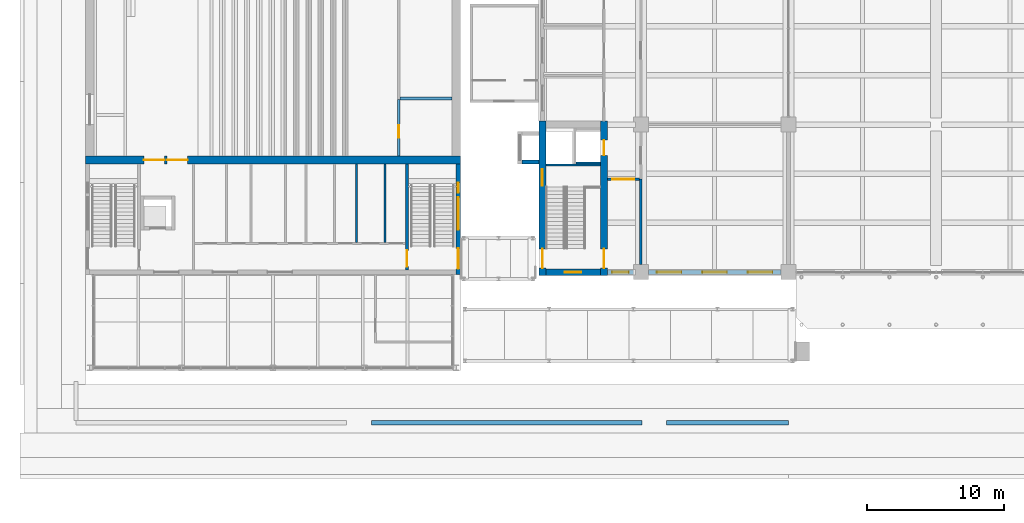
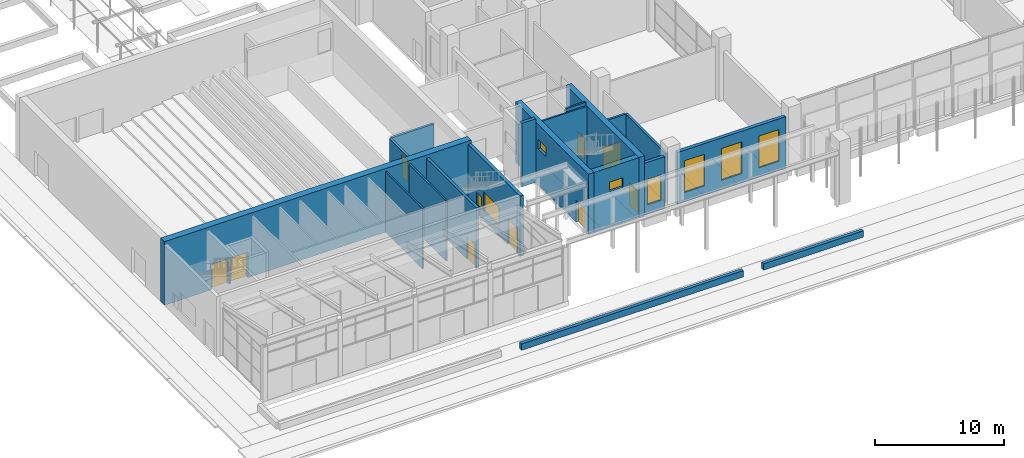
# One storey, part 46 of 71: 19 walls, 9 doors, 8 windows, 17 openings.
"""IFC4 building model written with IfcOpenShell, lengths in metres."""

from ifc_helpers import new_model, si_unit, direction, frame, frame_2d, origin, place, context, subcontext, project, spatial, rectangle, extrude, material, layer, layer_set, type_object, element, fill, save


model = new_model("IFC4")

# Units and contexts
model_context = context("Model", 3, precision=1e-05, world=origin(), true_north=direction((0.0, 1.0)))
body_context = subcontext(model_context, "Body", "Model", "MODEL_VIEW")
ifc_project = project(units=[si_unit("LENGTHUNIT", "METRE"), si_unit("AREAUNIT", "SQUARE_METRE"), si_unit("VOLUMEUNIT", "CUBIC_METRE"), si_unit("PLANEANGLEUNIT", "RADIAN"), si_unit("MASSUNIT", "GRAM", prefix="KILO")], contexts=[model_context])

# Site, building, storey
site_placement = place(None, origin())
site = spatial("IfcSite", under=ifc_project, at=site_placement, CompositionType="ELEMENT")
building_placement = place(site_placement, origin())
building = spatial("IfcBuilding", under=site, at=building_placement, Name="Basin Gate Institute", CompositionType="ELEMENT")
storey_placement = place(building_placement, origin())
storey = spatial("IfcBuildingStorey", under=building, at=storey_placement, Name="L00", CompositionType="ELEMENT", Elevation=0.0)

# Wall, opening, door
ifc_material_1 = material(Name="Concrete 40 MPa", Category="concrete")
ifc_layer_1 = layer(ifc_material_1, 0.25)
ifc_layer_set_1 = layer_set([ifc_layer_1], Name="Concrete 40 MPa")
wall_type_1 = type_object("IfcWallType", Name="Block enclosure wall W73 REI 120", PredefinedType="SOLIDWALL", material=ifc_layer_set_1)
wall_1_placement = place(storey_placement, frame((51.300048828125, 35.25, 0.0), z_axis=(0.0, 0.0, 1.0), x_axis=(0.0, 1.0, 0.0)))
wall_1 = element("IfcWall", 1, at=wall_1_placement, inside=storey, type_object=wall_type_1, material=ifc_layer_set_1, Name="Block enclosure wall PE L00", PredefinedType="SOLIDWALL", context=body_context, shape_type="SweptSolid", body=[
    extrude(rectangle(XDim=7.75, YDim=0.25, at=frame_2d((3.875, 0.0))), origin(), (0.0, 0.0, 1.0), 5.699951171875),
])
opening_1_placement = place(wall_1_placement, frame((0.25, 0.0, 0.0)))
opening_1 = element("IfcOpeningElement", 2, at=opening_1_placement, cuts=wall_1, Name="Opening D904", PredefinedType="OPENING", context=body_context, shape_type="SweptSolid", body=[
    extrude(rectangle(XDim=1.199951171875, YDim=2.10009765625, at=frame_2d((0.60009765625, 1.050048828125))), frame((0.0, 0.135009765625, 0.0), z_axis=(0.0, -1.0, 0.0), x_axis=(1.0, 0.0, 0.0)), (0.0, 0.0, 1.0), 0.27001953125),
])
ifc_material_2 = material(Name="Steel fire door leaf", Category="steel")
door_type_1 = type_object("IfcDoorType", Name="FD60 door 1200 single swing", OperationType="NOTDEFINED", PredefinedType="DOOR", material=ifc_material_2)
door_1_placement = place(opening_1_placement, frame((1.199951171875, 0.0, 0.0), z_axis=(0.0, 0.0, 1.0), x_axis=(-1.0, 0.0, 0.0)))
door_1 = element("IfcDoor", 3, at=door_1_placement, inside=storey, type_object=door_type_1, material=ifc_material_2, Name="Stair door ST-T3", OperationType="SINGLE_SWING_RIGHT", OverallHeight=2.10009765625, OverallWidth=1.199951171875, PredefinedType="DOOR", context=body_context, shape_type="SweptSolid", body=[
    extrude(rectangle(XDim=1.199951171875, YDim=2.10009765625, at=frame_2d((0.60009765625, 1.050048828125))), frame((0.0, 0.02490234375, 0.0), z_axis=(0.0, -1.0, 0.0), x_axis=(1.0, 0.0, 0.0)), (0.0, 0.0, 1.0), 0.050048828125),
])
fill(opening_1, door_1)

# Wall, openings, windows, door
ifc_material_3 = material(Name="Concrete 40 MPa", Category="concrete")
ifc_layer_2 = layer(ifc_material_3, 0.300048828125)
ifc_layer_set_2 = layer_set([ifc_layer_2], Name="Concrete 40 MPa")
wall_type_2 = type_object("IfcWallType", Name="Block external wall W71 REI 180", PredefinedType="SOLIDWALL", material=ifc_layer_set_2)
wall_2_placement = place(storey_placement, frame((55.050048828125, 34.949951171875, 0.0), z_axis=(0.0, 0.0, 1.0), x_axis=(0.0, 1.0, 0.0)))
wall_2 = element("IfcWall", 4, at=wall_2_placement, inside=storey, type_object=wall_type_2, material=ifc_layer_set_2, Name="Block external wall R180 SE1 L00", PredefinedType="SOLIDWALL", context=body_context, shape_type="SweptSolid", body=[
    extrude(rectangle(XDim=8.050048828125, YDim=0.300048828125, at=frame_2d((4.02490234375, 0.0))), origin(), (0.0, 0.0, 1.0), 5.699951171875),
])
opening_2_placement = place(wall_2_placement, frame((0.39990234375, 0.0, 0.0)))
opening_2 = element("IfcOpeningElement", 5, at=opening_2_placement, cuts=wall_2, Name="Opening D902", PredefinedType="OPENING", context=body_context, shape_type="SweptSolid", body=[
    extrude(rectangle(XDim=1.5, YDim=2.39990234375, at=frame_2d((0.75, 1.199951171875))), frame((0.0, 0.16015625, 0.0), z_axis=(0.0, -1.0, 0.0), x_axis=(1.0, 0.0, 0.0)), (0.0, 0.0, 1.0), 0.320068359375),
])
opening_3_placement = place(wall_2_placement, frame((3.25, 0.0, 0.89990234375)))
opening_3 = element("IfcOpeningElement", 6, at=opening_3_placement, cuts=wall_2, Name="Opening WN903", PredefinedType="OPENING", context=body_context, shape_type="SweptSolid", body=[
    extrude(rectangle(XDim=2.39990234375, YDim=1.800048828125, at=frame_2d((1.199951171875, 0.89990234375))), frame((0.0, 0.16015625, 0.0), z_axis=(0.0, -1.0, 0.0), x_axis=(1.0, 0.0, 0.0)), (0.0, 0.0, 1.0), 0.320068359375),
])
opening_4_placement = place(wall_2_placement, frame((5.949951171875, 0.0, 0.800048828125)))
opening_4 = element("IfcOpeningElement", 7, at=opening_4_placement, cuts=wall_2, Name="Opening WN904", PredefinedType="OPENING", context=body_context, shape_type="SweptSolid", body=[
    extrude(rectangle(XDim=0.75, YDim=1.199951171875, at=frame_2d((0.375, 0.60009765625))), frame((0.0, 0.16015625, 0.0), z_axis=(0.0, -1.0, 0.0), x_axis=(1.0, 0.0, 0.0)), (0.0, 0.0, 1.0), 0.320068359375),
])
ifc_material_4 = material(Name="Aluminium frame with toughened glass", Category="aluminium")
window_type_1 = type_object("IfcWindowType", Name="Block emergency entry panel 750x1200", PartitioningType="SINGLE_PANEL", PredefinedType="WINDOW", material=ifc_material_4)
window_1_placement = place(opening_4_placement, origin())
window_1 = element("IfcWindow", 8, at=window_1_placement, inside=storey, type_object=window_type_1, material=ifc_material_4, Name="Theatre emergency entry panel", OverallHeight=1.199951171875, OverallWidth=0.75, PartitioningType="SINGLE_PANEL", PredefinedType="WINDOW", context=body_context, shape_type="SweptSolid", body=[
    extrude(rectangle(XDim=0.75, YDim=1.199951171875, at=frame_2d((0.375, 0.60009765625))), frame((0.0, 0.030029296875, 0.0), z_axis=(0.0, -1.0, 0.0), x_axis=(1.0, 0.0, 0.0)), (0.0, 0.0, 1.0), 0.06005859375),
])
fill(opening_4, window_1)
ifc_material_5 = material(Name="Aluminium frame with double glazing", Category="aluminium")
window_type_2 = type_object("IfcWindowType", Name="Block window 2400x1800", PartitioningType="DOUBLE_PANEL_VERTICAL", PredefinedType="WINDOW", material=ifc_material_5)
window_2_placement = place(opening_3_placement, origin())
window_2 = element("IfcWindow", 9, at=window_2_placement, inside=storey, type_object=window_type_2, material=ifc_material_5, Name="Theatre window", OverallHeight=1.800048828125, OverallWidth=2.39990234375, PartitioningType="SINGLE_PANEL", PredefinedType="WINDOW", context=body_context, shape_type="SweptSolid", body=[
    extrude(rectangle(XDim=2.39990234375, YDim=1.800048828125, at=frame_2d((1.199951171875, 0.89990234375))), frame((0.0, 0.030029296875, 0.0), z_axis=(0.0, -1.0, 0.0), x_axis=(1.0, 0.0, 0.0)), (0.0, 0.0, 1.0), 0.06005859375),
])
fill(opening_3, window_2)
ifc_material_6 = material(Name="Steel fire door leaf with fire-rated glazed vision panel", Category="steel")
door_type_2 = type_object("IfcDoorType", Name="FD60 Exit door 1500 single swing", OperationType="NOTDEFINED", PredefinedType="DOOR", material=ifc_material_6)
door_2_placement = place(opening_2_placement, frame((1.5, 0.0, 0.0), z_axis=(0.0, 0.0, 1.0), x_axis=(-1.0, 0.0, 0.0)))
door_2 = element("IfcDoor", 10, at=door_2_placement, inside=storey, type_object=door_type_2, material=ifc_material_6, Name="Final exit Theatre stair ST-T3", OperationType="SINGLE_SWING_RIGHT", OverallHeight=2.39990234375, OverallWidth=1.5, PredefinedType="DOOR", context=body_context, shape_type="SweptSolid", body=[
    extrude(rectangle(XDim=1.5, YDim=2.39990234375, at=frame_2d((0.75, 1.199951171875))), frame((0.0, 0.02490234375, 0.0), z_axis=(0.0, -1.0, 0.0), x_axis=(1.0, 0.0, 0.0)), (0.0, 0.0, 1.0), 0.050048828125),
])
fill(opening_2, door_2)

# Walls
ifc_material_7 = material(Name="Gypsum board partition on steel studs", Category="steel")
ifc_layer_3 = layer(ifc_material_7, 0.14990234375)
ifc_layer_set_3 = layer_set([ifc_layer_3], Name="Gypsum board partition on steel studs")
wall_type_3 = type_object("IfcWallType", Name="Block partition PW71 unrated", PredefinedType="SOLIDWALL", material=ifc_layer_set_3)
for number, where, z_axis, x_axis, name in (
    (11, (47.60009765625, 37.27490234375, 0.0), (0.0, 0.0, 1.0), (0.0, 1.0, 0.0), "Block partition RW5 L00"),
    (12, (49.699951171875, 37.27490234375, 0.0), (0.0, 0.0, 1.0), (0.0, 1.0, 0.0), "Block partition RW6 L00"),
):
    element("IfcWall", number, at=place(storey_placement, frame(where, z_axis=z_axis, x_axis=x_axis)), inside=storey, type_object=wall_type_3, material=ifc_layer_set_3, Name=name, PredefinedType="SOLIDWALL", context=body_context, shape_type="SweptSolid", body=[
        extrude(rectangle(XDim=5.72509765625, YDim=0.14990234375, at=frame_2d((2.862548828125, 0.0))), origin(), (0.0, 0.0, 1.0), 5.699951171875),
    ])
ifc_material_8 = material(Name="Concrete 35 MPa", Category="concrete")
ifc_layer_4 = layer(ifc_material_8, 0.300048828125)
ifc_layer_set_4 = layer_set([ifc_layer_4], Name="Concrete 35 MPa")
wall_type_4 = type_object("IfcWallType", Name="Edge planter wall PL2", PredefinedType="SOLIDWALL", material=ifc_layer_set_4)
wall_3_placement = place(storey_placement, frame((48.68994140625, 24.090087890625, 0.0), z_axis=(0.0, 0.0, 1.0), x_axis=(1.0, 0.0, 0.0)))
element("IfcWall", 13, at=wall_3_placement, inside=storey, type_object=wall_type_4, material=ifc_layer_set_4, Name="Edge planter wall S2", PredefinedType="SOLIDWALL", context=body_context, shape_type="SweptSolid", body=[
    extrude(rectangle(XDim=19.800048828125, YDim=0.300048828125, at=frame_2d((9.89990234375, 0.0))), origin(), (0.0, 0.0, 1.0), 0.60009765625),
])
wall_4_placement = place(storey_placement, frame((70.2900390625, 24.090087890625, 0.0), z_axis=(0.0, 0.0, 1.0), x_axis=(1.0, 0.0, 0.0)))
element("IfcWall", 14, at=wall_4_placement, inside=storey, type_object=wall_type_4, material=ifc_layer_set_4, Name="Edge planter wall S3", PredefinedType="SOLIDWALL", context=body_context, shape_type="SweptSolid", body=[
    extrude(rectangle(XDim=8.909912109375, YDim=0.300048828125, at=frame_2d((4.455078125, 0.0))), origin(), (0.0, 0.0, 1.0), 0.60009765625),
])

# Wall, opening, door
ifc_material_9 = material(Name="Fire-rated masonry", Category="masonry")
ifc_layer_5 = layer(ifc_material_9, 0.199951171875)
ifc_layer_set_5 = layer_set([ifc_layer_5], Name="Enclosure wall PW2 200 EI 60")
wall_type_5 = type_object("IfcWallType", Name="Enclosure wall PW2 200 EI 60", PredefinedType="PARTITIONING", material=ifc_layer_set_5)
wall_5_placement = place(storey_placement, frame((65.949951171875, 41.89990234375, 0.0), z_axis=(0.0, 0.0, 1.0), x_axis=(1.0, 0.0, 0.0)))
wall_5 = element("IfcWall", 15, at=wall_5_placement, inside=storey, type_object=wall_type_5, material=ifc_layer_set_5, Name="Smoke lobby enclosure wall PW2 L00", PredefinedType="PARTITIONING", context=body_context, shape_type="SweptSolid", body=[
    extrude(rectangle(XDim=2.35009765625, YDim=0.199951171875, at=frame_2d((1.175048828125, 0.0))), origin(), (0.0, 0.0, 1.0), 4.60009765625),
])
opening_5_placement = place(wall_5_placement, frame((0.375, 0.0, 0.0)))
opening_5 = element("IfcOpeningElement", 16, at=opening_5_placement, cuts=wall_5, Name="Opening DR039", PredefinedType="OPENING", context=body_context, shape_type="SweptSolid", body=[
    extrude(rectangle(XDim=1.60009765625, YDim=2.10009765625, at=frame_2d((0.800048828125, 1.050048828125))), frame((0.0, 0.10986328125, 0.0), z_axis=(0.0, -1.0, 0.0), x_axis=(1.0, 0.0, 0.0)), (0.0, 0.0, 1.0), 0.219970703125),
])
ifc_material_10 = material(Name="Steel fire door", Category="steel")
door_type_3 = type_object("IfcDoorType", Name="FD60 Smoke lobby door pair D8", OperationType="DOUBLE_DOOR_SINGLE_SWING", PredefinedType="DOOR", material=ifc_material_10)
door_3_placement = place(opening_5_placement, frame((1.60009765625, 0.0, 0.0), z_axis=(0.0, 0.0, 1.0), x_axis=(-1.0, 0.0, 0.0)))
door_3 = element("IfcDoor", 17, at=door_3_placement, inside=storey, type_object=door_type_3, material=ifc_material_10, Name="Smoke lobby door SS1 L00", OperationType="DOUBLE_DOOR_SINGLE_SWING", OverallHeight=2.10009765625, OverallWidth=1.60009765625, PredefinedType="DOOR", context=body_context, shape_type="SweptSolid", body=[
    extrude(rectangle(XDim=1.60009765625, YDim=2.10009765625, at=frame_2d((0.800048828125, 1.050048828125))), frame((0.0, 0.02490234375, 0.0), z_axis=(0.0, -1.0, 0.0), x_axis=(1.0, 0.0, 0.0)), (0.0, 0.0, 1.0), 0.050048828125),
])
fill(opening_5, door_3)

# Wall
wall_6_placement = place(storey_placement, frame((68.39990234375, 35.64990234375, 0.0), z_axis=(0.0, 0.0, 1.0), x_axis=(0.0, 1.0, 0.0)))
element("IfcWall", 18, at=wall_6_placement, inside=storey, type_object=wall_type_5, material=ifc_layer_set_5, Name="Smoke lobby enclosure wall PW2 L00", PredefinedType="PARTITIONING", context=body_context, shape_type="SweptSolid", body=[
    extrude(rectangle(XDim=6.25, YDim=0.199951171875, at=frame_2d((3.125, 0.0))), origin(), (0.0, 0.0, 1.0), 4.60009765625),
])

# Wall, opening, window
ifc_material_11 = material(Name="Aluminium-faced insulated panel wall", Category="aluminium")
ifc_layer_6 = layer(ifc_material_11, 0.300048828125)
ifc_layer_set_6 = layer_set([ifc_layer_6], Name="External wall EW1 EI 120")
wall_type_6 = type_object("IfcWallType", Name="External wall EW1 EI 120", PredefinedType="STANDARD", material=ifc_layer_set_6)
wall_7_placement = place(storey_placement, frame((65.949951171875, 35.10009765625, 0.0), z_axis=(0.0, 0.0, 1.0), x_axis=(1.0, 0.0, 0.0)))
wall_7 = element("IfcWall", 19, at=wall_7_placement, inside=storey, type_object=wall_type_6, material=ifc_layer_set_6, Name="External end wall W wing south L00 1", PredefinedType="STANDARD", context=body_context, shape_type="SweptSolid", body=[
    extrude(rectangle(XDim=1.900146484375, YDim=0.300048828125, at=frame_2d((0.9501953125, 0.0))), origin(), (0.0, 0.0, 1.0), 4.89990234375),
])
opening_6_placement = place(wall_7_placement, frame((0.35009765625, 0.0, 0.89990234375)))
opening_6 = element("IfcOpeningElement", 20, at=opening_6_placement, cuts=wall_7, Name="Opening WN4", PredefinedType="OPENING", context=body_context, shape_type="SweptSolid", body=[
    extrude(rectangle(XDim=1.199951171875, YDim=2.39990234375, at=frame_2d((0.60009765625, 1.199951171875))), frame((0.0, 0.16015625, 0.0), z_axis=(0.0, -1.0, 0.0), x_axis=(1.0, 0.0, 0.0)), (0.0, 0.0, 1.0), 0.320068359375),
])
ifc_material_12 = material(Name="Aluminium-framed double glazing", Category="aluminium")
window_type_3 = type_object("IfcWindowType", Name="Corridor end window WN4", PartitioningType="SINGLE_PANEL", PredefinedType="WINDOW", material=ifc_material_12)
window_3_placement = place(opening_6_placement, origin())
window_3 = element("IfcWindow", 21, at=window_3_placement, inside=storey, type_object=window_type_3, material=ifc_material_12, Name="Corridor end window W wing S L00", OverallHeight=2.39990234375, OverallWidth=1.199951171875, PartitioningType="SINGLE_PANEL", PredefinedType="WINDOW", context=body_context, shape_type="SweptSolid", body=[
    extrude(rectangle(XDim=1.199951171875, YDim=2.39990234375, at=frame_2d((0.60009765625, 1.199951171875))), frame((0.0, 0.030029296875, 0.0), z_axis=(0.0, -1.0, 0.0), x_axis=(1.0, 0.0, 0.0)), (0.0, 0.0, 1.0), 0.06005859375),
])
fill(opening_6, window_3)

# Wall, openings, windows
wall_8_placement = place(storey_placement, frame((68.949951171875, 35.10009765625, 0.0), z_axis=(0.0, 0.0, 1.0), x_axis=(1.0, 0.0, 0.0)))
wall_8 = element("IfcWall", 22, at=wall_8_placement, inside=storey, type_object=wall_type_6, material=ifc_layer_set_6, Name="External end wall W wing south L00 2", PredefinedType="STANDARD", context=body_context, shape_type="SweptSolid", body=[
    extrude(rectangle(XDim=9.699951171875, YDim=0.300048828125, at=frame_2d((4.85009765625, 0.0))), origin(), (0.0, 0.0, 1.0), 4.89990234375),
])
opening_7_placement = place(wall_8_placement, frame((0.625, 0.0, 0.89990234375)))
opening_7 = element("IfcOpeningElement", 23, at=opening_7_placement, cuts=wall_8, Name="Opening WN2", PredefinedType="OPENING", context=body_context, shape_type="SweptSolid", body=[
    extrude(rectangle(XDim=1.800048828125, YDim=3.0, at=frame_2d((0.89990234375, 1.5))), frame((0.0, 0.16015625, 0.0), z_axis=(0.0, -1.0, 0.0), x_axis=(1.0, 0.0, 0.0)), (0.0, 0.0, 1.0), 0.320068359375),
])
opening_8_placement = place(wall_8_placement, frame((3.949951171875, 0.0, 0.89990234375)))
opening_8 = element("IfcOpeningElement", 24, at=opening_8_placement, cuts=wall_8, Name="Opening WN2", PredefinedType="OPENING", context=body_context, shape_type="SweptSolid", body=[
    extrude(rectangle(XDim=1.800048828125, YDim=3.0, at=frame_2d((0.89990234375, 1.5))), frame((0.0, 0.16015625, 0.0), z_axis=(0.0, -1.0, 0.0), x_axis=(1.0, 0.0, 0.0)), (0.0, 0.0, 1.0), 0.320068359375),
])
opening_9_placement = place(wall_8_placement, frame((7.27490234375, 0.0, 0.89990234375)))
opening_9 = element("IfcOpeningElement", 25, at=opening_9_placement, cuts=wall_8, Name="Opening WN2", PredefinedType="OPENING", context=body_context, shape_type="SweptSolid", body=[
    extrude(rectangle(XDim=1.800048828125, YDim=3.0, at=frame_2d((0.89990234375, 1.5))), frame((0.0, 0.16015625, 0.0), z_axis=(0.0, -1.0, 0.0), x_axis=(1.0, 0.0, 0.0)), (0.0, 0.0, 1.0), 0.320068359375),
])
ifc_material_13 = material(Name="Aluminium-framed double glazing", Category="aluminium")
window_type_4 = type_object("IfcWindowType", Name="Podium window WN2", PartitioningType="SINGLE_PANEL", PredefinedType="WINDOW", material=ifc_material_13)
window_4_placement = place(opening_7_placement, origin())
window_4 = element("IfcWindow", 26, at=window_4_placement, inside=storey, type_object=window_type_4, material=ifc_material_13, Name="Podium window W wing end S L00 bay 1", OverallHeight=3.0, OverallWidth=1.800048828125, PartitioningType="SINGLE_PANEL", PredefinedType="WINDOW", context=body_context, shape_type="SweptSolid", body=[
    extrude(rectangle(XDim=1.800048828125, YDim=3.0, at=frame_2d((0.89990234375, 1.5))), frame((0.0, 0.030029296875, 0.0), z_axis=(0.0, -1.0, 0.0), x_axis=(1.0, 0.0, 0.0)), (0.0, 0.0, 1.0), 0.06005859375),
])
fill(opening_7, window_4)
window_5_placement = place(opening_8_placement, origin())
window_5 = element("IfcWindow", 27, at=window_5_placement, inside=storey, type_object=window_type_4, material=ifc_material_13, Name="Podium window W wing end S L00 bay 2", OverallHeight=3.0, OverallWidth=1.800048828125, PartitioningType="SINGLE_PANEL", PredefinedType="WINDOW", context=body_context, shape_type="SweptSolid", body=[
    extrude(rectangle(XDim=1.800048828125, YDim=3.0, at=frame_2d((0.89990234375, 1.5))), frame((0.0, 0.030029296875, 0.0), z_axis=(0.0, -1.0, 0.0), x_axis=(1.0, 0.0, 0.0)), (0.0, 0.0, 1.0), 0.06005859375),
])
fill(opening_8, window_5)
window_6_placement = place(opening_9_placement, origin())
window_6 = element("IfcWindow", 28, at=window_6_placement, inside=storey, type_object=window_type_4, material=ifc_material_13, Name="Podium window W wing end S L00 bay 3", OverallHeight=3.0, OverallWidth=1.800048828125, PartitioningType="SINGLE_PANEL", PredefinedType="WINDOW", context=body_context, shape_type="SweptSolid", body=[
    extrude(rectangle(XDim=1.800048828125, YDim=3.0, at=frame_2d((0.89990234375, 1.5))), frame((0.0, 0.030029296875, 0.0), z_axis=(0.0, -1.0, 0.0), x_axis=(1.0, 0.0, 0.0)), (0.0, 0.0, 1.0), 0.06005859375),
])
fill(opening_9, window_6)

# Wall, openings, doors
ifc_material_14 = material(Name="Concrete 50 MPa", Category="concrete")
ifc_layer_7 = layer(ifc_material_14, 0.60009765625)
ifc_layer_set_7 = layer_set([ifc_layer_7], Name="Concrete 50 MPa")
wall_type_7 = type_object("IfcWallType", Name="Theatre auditorium wall W79 REI 180", PredefinedType="SOLIDWALL", material=ifc_layer_set_7)
wall_9_placement = place(storey_placement, frame((27.800048828125, 43.300048828125, 0.0), z_axis=(0.0, 0.0, 1.0), x_axis=(1.0, 0.0, 0.0)))
wall_9 = element("IfcWall", 29, at=wall_9_placement, inside=storey, type_object=wall_type_7, material=ifc_layer_set_7, Name="Theatre auditorium south wall L00", PredefinedType="SOLIDWALL", context=body_context, shape_type="SweptSolid", body=[
    extrude(rectangle(XDim=27.39990234375, YDim=0.60009765625, at=frame_2d((13.699951171875, 0.0))), origin(), (0.0, 0.0, 1.0), 6.0),
])
opening_10_placement = place(wall_9_placement, frame((4.25, 0.0, 0.0)))
opening_10 = element("IfcOpeningElement", 30, at=opening_10_placement, cuts=wall_9, Name="Opening D908", PredefinedType="OPENING", context=body_context, shape_type="SweptSolid", body=[
    extrude(rectangle(XDim=1.5, YDim=2.39990234375, at=frame_2d((0.75, 1.199951171875))), frame((0.0, 0.31005859375, 0.0), z_axis=(0.0, -1.0, 0.0), x_axis=(1.0, 0.0, 0.0)), (0.0, 0.0, 1.0), 0.6201171875),
])
opening_11_placement = place(wall_9_placement, frame((5.949951171875, 0.0, 0.0)))
opening_11 = element("IfcOpeningElement", 31, at=opening_11_placement, cuts=wall_9, Name="Opening D909", PredefinedType="OPENING", context=body_context, shape_type="SweptSolid", body=[
    extrude(rectangle(XDim=1.5, YDim=2.39990234375, at=frame_2d((0.75, 1.199951171875))), frame((0.0, 0.31005859375, 0.0), z_axis=(0.0, -1.0, 0.0), x_axis=(1.0, 0.0, 0.0)), (0.0, 0.0, 1.0), 0.6201171875),
])
ifc_material_15 = material(Name="Steel door leaf with glazed vision panel", Category="steel")
door_type_4 = type_object("IfcDoorType", Name="Exit door 1500 single swing", OperationType="NOTDEFINED", PredefinedType="DOOR", material=ifc_material_15)
door_4_placement = place(opening_10_placement, frame((1.5, 0.0, 0.0), z_axis=(0.0, 0.0, 1.0), x_axis=(-1.0, 0.0, 0.0)))
door_4 = element("IfcDoor", 32, at=door_4_placement, inside=storey, type_object=door_type_4, material=ifc_material_15, Name="Theatre entrance door 1", OperationType="SINGLE_SWING_RIGHT", OverallHeight=2.39990234375, OverallWidth=1.5, PredefinedType="DOOR", context=body_context, shape_type="SweptSolid", body=[
    extrude(rectangle(XDim=1.5, YDim=2.39990234375, at=frame_2d((0.75, 1.199951171875))), frame((0.0, 0.02490234375, 0.0), z_axis=(0.0, -1.0, 0.0), x_axis=(1.0, 0.0, 0.0)), (0.0, 0.0, 1.0), 0.050048828125),
])
fill(opening_10, door_4)
door_5_placement = place(opening_11_placement, frame((1.5, 0.0, 0.0), z_axis=(0.0, 0.0, 1.0), x_axis=(-1.0, 0.0, 0.0)))
door_5 = element("IfcDoor", 33, at=door_5_placement, inside=storey, type_object=door_type_4, material=ifc_material_15, Name="Theatre entrance door 2", OperationType="SINGLE_SWING_LEFT", OverallHeight=2.39990234375, OverallWidth=1.5, PredefinedType="DOOR", context=body_context, shape_type="SweptSolid", body=[
    extrude(rectangle(XDim=1.5, YDim=2.39990234375, at=frame_2d((0.75, 1.199951171875))), frame((0.0, 0.02490234375, 0.0), z_axis=(0.0, -1.0, 0.0), x_axis=(1.0, 0.0, 0.0)), (0.0, 0.0, 1.0), 0.050048828125),
])
fill(opening_11, door_5)

# Wall, opening, door
ifc_material_16 = material(Name="Concrete 40 MPa", Category="concrete")
ifc_layer_8 = layer(ifc_material_16, 0.199951171875)
ifc_layer_set_8 = layer_set([ifc_layer_8], Name="Concrete 40 MPa")
wall_type_8 = type_object("IfcWallType", Name="Tier support wall W74 R180", PredefinedType="SOLIDWALL", material=ifc_layer_set_8)
wall_10_placement = place(storey_placement, frame((50.699951171875, 43.60009765625, 2.39990234375), z_axis=(0.0, 0.0, 1.0), x_axis=(0.0, 1.0, 0.0)))
wall_10 = element("IfcWall", 34, at=wall_10_placement, inside=storey, type_object=wall_type_8, material=ifc_layer_set_8, Name="Projection room wall west", PredefinedType="SOLIDWALL", context=body_context, shape_type="SweptSolid", body=[
    extrude(rectangle(XDim=4.125, YDim=0.199951171875, at=frame_2d((2.0625, 0.0))), origin(), (0.0, 0.0, 1.0), 2.5),
])
opening_12_placement = place(wall_10_placement, frame((1.35009765625, 0.0, 0.0)))
opening_12 = element("IfcOpeningElement", 35, at=opening_12_placement, cuts=wall_10, Name="Opening D916", PredefinedType="OPENING", context=body_context, shape_type="SweptSolid", body=[
    extrude(rectangle(XDim=0.89990234375, YDim=2.10009765625, at=frame_2d((0.449951171875, 1.050048828125))), frame((0.0, 0.10986328125, 0.0), z_axis=(0.0, -1.0, 0.0), x_axis=(1.0, 0.0, 0.0)), (0.0, 0.0, 1.0), 0.219970703125),
])
ifc_material_17 = material(Name="Timber door leaf in steel frame", Category="steel")
door_type_5 = type_object("IfcDoorType", Name="Block door 900 single swing", OperationType="NOTDEFINED", PredefinedType="DOOR", material=ifc_material_17)
door_6_placement = place(opening_12_placement, origin())
door_6 = element("IfcDoor", 36, at=door_6_placement, inside=storey, type_object=door_type_5, material=ifc_material_17, Name="Projection room door", OperationType="SINGLE_SWING_LEFT", OverallHeight=2.10009765625, OverallWidth=0.89990234375, PredefinedType="DOOR", context=body_context, shape_type="SweptSolid", body=[
    extrude(rectangle(XDim=0.89990234375, YDim=2.10009765625, at=frame_2d((0.449951171875, 1.050048828125))), frame((0.0, 0.02490234375, 0.0), z_axis=(0.0, -1.0, 0.0), x_axis=(1.0, 0.0, 0.0)), (0.0, 0.0, 1.0), 0.050048828125),
])
fill(opening_12, door_6)

# Walls
wall_11_placement = place(storey_placement, frame((50.800048828125, 47.800048828125, 2.39990234375), z_axis=(0.0, 0.0, 1.0), x_axis=(1.0, 0.0, 0.0)))
element("IfcWall", 37, at=wall_11_placement, inside=storey, type_object=wall_type_8, material=ifc_layer_set_8, Name="Projection room wall north", PredefinedType="SOLIDWALL", context=body_context, shape_type="SweptSolid", body=[
    extrude(rectangle(XDim=3.800048828125, YDim=0.199951171875, at=frame_2d((1.89990234375, 0.0))), origin(), (0.0, 0.0, 1.0), 2.5),
])
ifc_material_18 = material(Name="Concrete 40 MPa", Category="concrete")
ifc_layer_9 = layer(ifc_material_18, 0.14990234375)
ifc_layer_set_9 = layer_set([ifc_layer_9], Name="Concrete 40 MPa")
wall_type_9 = type_object("IfcWallType", Name="Wall LS1 lift shaft enclosure R180", PredefinedType="SOLIDWALL", material=ifc_layer_set_9)
wall_12_placement = place(storey_placement, frame((63.64990234375, 43.074951171875, 0.0), z_axis=(0.0, 0.0, 1.0), x_axis=(1.0, 0.0, 0.0)))
element("IfcWall", 38, at=wall_12_placement, inside=storey, type_object=wall_type_9, material=ifc_layer_set_9, Name="Lift shaft enclosure LP1 L00 RL", PredefinedType="SOLIDWALL", context=body_context, shape_type="SweptSolid", body=[
    extrude(rectangle(XDim=1.800048828125, YDim=0.14990234375, at=frame_2d((0.89990234375, 0.0))), origin(), (0.0, 0.0, 1.0), 6.0),
])
ifc_material_19 = material(Name="Concrete 40 MPa", Category="concrete")
ifc_layer_10 = layer(ifc_material_19, 0.14990234375)
ifc_layer_set_10 = layer_set([ifc_layer_10], Name="Concrete 40 MPa")
wall_type_10 = type_object("IfcWallType", Name="Wall SE1 stair enclosure R180", PredefinedType="SOLIDWALL", material=ifc_layer_set_10)
wall_13_placement = place(storey_placement, frame((61.449951171875, 42.925048828125, 0.0), z_axis=(0.0, 0.0, 1.0), x_axis=(1.0, 0.0, 0.0)))
element("IfcWall", 39, at=wall_13_placement, inside=storey, type_object=wall_type_10, material=ifc_layer_set_10, Name="Stair enclosure wall ST-WS L00", PredefinedType="SOLIDWALL", context=body_context, shape_type="SweptSolid", body=[
    extrude(rectangle(XDim=4.0, YDim=0.14990234375, at=frame_2d((2.0, 0.0))), origin(), (0.0, 0.0, 1.0), 5.699951171875),
])
ifc_material_20 = material(Name="Concrete 50 MPa", Category="concrete")
ifc_layer_11 = layer(ifc_material_20, 0.300048828125)
ifc_layer_set_11 = layer_set([ifc_layer_11], Name="Concrete 50 MPa")
wall_type_11 = type_object("IfcWallType", Name="Wall SK1 R180", PredefinedType="SHEAR", material=ifc_layer_set_11)
wall_14_placement = place(storey_placement, frame((60.949951171875, 43.14990234375, 0.0), z_axis=(0.0, 0.0, 1.0), x_axis=(-1.0, 0.0, 0.0)))
element("IfcWall", 40, at=wall_14_placement, inside=storey, type_object=wall_type_11, material=ifc_layer_set_11, Name="Spine riser stack wall SK1 WS A L00", PredefinedType="SHEAR", context=body_context, shape_type="SweptSolid", body=[
    extrude(rectangle(XDim=1.25, YDim=0.300048828125, at=frame_2d((0.625, 0.0))), origin(), (0.0, 0.0, 1.0), 6.0),
])

# Wall, openings, door, window
ifc_material_21 = material(Name="Concrete 60 MPa", Category="concrete")
ifc_layer_12 = layer(ifc_material_21, 0.5)
ifc_layer_set_12 = layer_set([ifc_layer_12], Name="Concrete 60 MPa")
wall_type_12 = type_object("IfcWallType", Name="Wall SW1 R180", PredefinedType="SHEAR", material=ifc_layer_set_12)
wall_15_placement = place(storey_placement, frame((61.199951171875, 34.85009765625, 0.0), z_axis=(0.0, 0.0, 1.0), x_axis=(0.0, 1.0, 0.0)))
wall_15 = element("IfcWall", 41, at=wall_15_placement, inside=storey, type_object=wall_type_12, material=ifc_layer_set_12, Name="WALL/L00/WS/L", PredefinedType="SHEAR", context=body_context, shape_type="SweptSolid", body=[
    extrude(rectangle(XDim=11.2998046875, YDim=0.5, at=frame_2d((5.64990234375, 0.0))), origin(), (0.0, 0.0, 1.0), 5.699951171875),
])
opening_13_placement = place(wall_15_placement, frame((0.550048828125, 0.0, 0.0)))
opening_13 = element("IfcOpeningElement", 42, at=opening_13_placement, cuts=wall_15, Name="Opening DX01", PredefinedType="OPENING", context=body_context, shape_type="SweptSolid", body=[
    extrude(rectangle(XDim=1.39990234375, YDim=2.10009765625, at=frame_2d((0.699951171875, 1.050048828125))), frame((0.0, 0.260009765625, 0.0), z_axis=(0.0, -1.0, 0.0), x_axis=(1.0, 0.0, 0.0)), (0.0, 0.0, 1.0), 0.52001953125),
])
opening_14_placement = place(wall_15_placement, frame((6.580078125, 0.0, 3.39990234375)))
opening_14 = element("IfcOpeningElement", 43, at=opening_14_placement, cuts=wall_15, Name="Opening WT1", PredefinedType="OPENING", context=body_context, shape_type="SweptSolid", body=[
    extrude(rectangle(XDim=1.199951171875, YDim=0.89990234375, at=frame_2d((0.60009765625, 0.449951171875))), frame((0.0, 0.260009765625, 0.0), z_axis=(0.0, -1.0, 0.0), x_axis=(1.0, 0.0, 0.0)), (0.0, 0.0, 1.0), 0.52001953125),
])
ifc_material_22 = material(Name="Steel fire door", Category="steel")
door_type_6 = type_object("IfcDoorType", Name="FD60 Final exit door DX", OperationType="DOUBLE_DOOR_SINGLE_SWING", PredefinedType="DOOR", material=ifc_material_22)
door_7_placement = place(opening_13_placement, origin())
door_7 = element("IfcDoor", 44, at=door_7_placement, inside=storey, type_object=door_type_6, material=ifc_material_22, Name="Final exit ST-WS to the plaza", OperationType="DOUBLE_DOOR_SINGLE_SWING", OverallHeight=2.10009765625, OverallWidth=1.39990234375, PredefinedType="DOOR", context=body_context, shape_type="SweptSolid", body=[
    extrude(rectangle(XDim=1.39990234375, YDim=2.10009765625, at=frame_2d((0.699951171875, 1.050048828125))), frame((0.0, 0.02490234375, 0.0), z_axis=(0.0, -1.0, 0.0), x_axis=(1.0, 0.0, 0.0)), (0.0, 0.0, 1.0), 0.050048828125),
])
fill(opening_13, door_7)
ifc_material_23 = material(Name="Fire-resistant glazing in steel-free frame", Category="steel")
window_type_5 = type_object("IfcWindowType", Name="Rated stair window EI 180 WT1", PartitioningType="SINGLE_PANEL", PredefinedType="WINDOW", material=ifc_material_23)
window_7_placement = place(opening_14_placement, origin())
window_7 = element("IfcWindow", 45, at=window_7_placement, inside=storey, type_object=window_type_5, material=ifc_material_23, Name="Rated stair window EI 180 WS landing L00", OverallHeight=0.89990234375, OverallWidth=1.199951171875, PartitioningType="SINGLE_PANEL", PredefinedType="WINDOW", context=body_context, shape_type="SweptSolid", body=[
    extrude(rectangle(XDim=1.199951171875, YDim=0.89990234375, at=frame_2d((0.60009765625, 0.449951171875))), frame((0.0, 0.030029296875, 0.0), z_axis=(0.0, -1.0, 0.0), x_axis=(1.0, 0.0, 0.0)), (0.0, 0.0, 1.0), 0.06005859375),
])
fill(opening_14, window_7)

# Wall, openings, doors
wall_16_placement = place(storey_placement, frame((65.699951171875, 34.85009765625, 0.0), z_axis=(0.0, 0.0, 1.0), x_axis=(0.0, 1.0, 0.0)))
wall_16 = element("IfcWall", 46, at=wall_16_placement, inside=storey, type_object=wall_type_12, material=ifc_layer_set_12, Name="WALL/L00/WS/C", PredefinedType="SHEAR", context=body_context, shape_type="SweptSolid", body=[
    extrude(rectangle(XDim=11.2998046875, YDim=0.5, at=frame_2d((5.64990234375, 0.0))), origin(), (0.0, 0.0, 1.0), 5.699951171875),
])
opening_15_placement = place(wall_16_placement, frame((0.550048828125, 0.0, 0.0)))
opening_15 = element("IfcOpeningElement", 47, at=opening_15_placement, cuts=wall_16, Name="Opening DS001", PredefinedType="OPENING", context=body_context, shape_type="SweptSolid", body=[
    extrude(rectangle(XDim=1.39990234375, YDim=2.10009765625, at=frame_2d((0.699951171875, 1.050048828125))), frame((0.0, 0.260009765625, 0.0), z_axis=(0.0, -1.0, 0.0), x_axis=(1.0, 0.0, 0.0)), (0.0, 0.0, 1.0), 0.52001953125),
])
opening_16_placement = place(wall_16_placement, frame((8.800048828125, 0.0, 0.0)))
opening_16 = element("IfcOpeningElement", 48, at=opening_16_placement, cuts=wall_16, Name="Opening LD003", PredefinedType="OPENING", context=body_context, shape_type="SweptSolid", body=[
    extrude(rectangle(XDim=1.10009765625, YDim=2.10009765625, at=frame_2d((0.550048828125, 1.050048828125))), frame((0.0, 0.260009765625, 0.0), z_axis=(0.0, -1.0, 0.0), x_axis=(1.0, 0.0, 0.0)), (0.0, 0.0, 1.0), 0.52001953125),
])
ifc_material_24 = material(Name="Steel fire door", Category="steel")
door_type_7 = type_object("IfcDoorType", Name="FD60 Exit-level stair enclosure door DSX", OperationType="DOUBLE_DOOR_SINGLE_SWING", PredefinedType="DOOR", material=ifc_material_24)
door_8_placement = place(opening_15_placement, origin())
door_8 = element("IfcDoor", 49, at=door_8_placement, inside=storey, type_object=door_type_7, material=ifc_material_24, Name="Stair enclosure door ST-WS L00", OperationType="DOUBLE_DOOR_SINGLE_SWING", OverallHeight=2.10009765625, OverallWidth=1.39990234375, PredefinedType="DOOR", context=body_context, shape_type="SweptSolid", body=[
    extrude(rectangle(XDim=1.39990234375, YDim=2.10009765625, at=frame_2d((0.699951171875, 1.050048828125))), frame((0.0, 0.02490234375, 0.0), z_axis=(0.0, -1.0, 0.0), x_axis=(1.0, 0.0, 0.0)), (0.0, 0.0, 1.0), 0.050048828125),
])
fill(opening_15, door_8)
ifc_material_25 = material(Name="Stainless steel", Category="steel")
door_type_8 = type_object("IfcDoorType", Name="FD60 Lift landing door LD", OperationType="SLIDING_TO_LEFT", PredefinedType="DOOR", material=ifc_material_25)
door_9_placement = place(opening_16_placement, origin())
door_9 = element("IfcDoor", 50, at=door_9_placement, inside=storey, type_object=door_type_8, material=ifc_material_25, Name="Lift landing door LP1 L00", OperationType="SLIDING_TO_LEFT", OverallHeight=2.10009765625, OverallWidth=1.10009765625, PredefinedType="DOOR", context=body_context, shape_type="SweptSolid", body=[
    extrude(rectangle(XDim=1.10009765625, YDim=2.10009765625, at=frame_2d((0.550048828125, 1.050048828125))), frame((0.0, 0.02490234375, 0.0), z_axis=(0.0, -1.0, 0.0), x_axis=(1.0, 0.0, 0.0)), (0.0, 0.0, 1.0), 0.050048828125),
])
fill(opening_16, door_9)

# Wall, opening, window
wall_17_placement = place(storey_placement, frame((61.449951171875, 35.10009765625, 0.0), z_axis=(0.0, 0.0, 1.0), x_axis=(1.0, 0.0, 0.0)))
wall_17 = element("IfcWall", 51, at=wall_17_placement, inside=storey, type_object=wall_type_12, material=ifc_layer_set_12, Name="WALL/L00/WS/S", PredefinedType="SHEAR", context=body_context, shape_type="SweptSolid", body=[
    extrude(rectangle(XDim=4.0, YDim=0.5, at=frame_2d((2.0, 0.0))), origin(), (0.0, 0.0, 1.0), 5.699951171875),
])
opening_17_placement = place(wall_17_placement, frame((1.39990234375, 0.0, 3.39990234375)))
opening_17 = element("IfcOpeningElement", 52, at=opening_17_placement, cuts=wall_17, Name="Opening WT1", PredefinedType="OPENING", context=body_context, shape_type="SweptSolid", body=[
    extrude(rectangle(XDim=1.199951171875, YDim=0.89990234375, at=frame_2d((0.60009765625, 0.449951171875))), frame((0.0, 0.260009765625, 0.0), z_axis=(0.0, -1.0, 0.0), x_axis=(1.0, 0.0, 0.0)), (0.0, 0.0, 1.0), 0.52001953125),
])
window_8_placement = place(opening_17_placement, origin())
window_8 = element("IfcWindow", 53, at=window_8_placement, inside=storey, type_object=window_type_5, material=ifc_material_23, Name="Rated stair window EI 180 WS end L00", OverallHeight=0.89990234375, OverallWidth=1.199951171875, PartitioningType="SINGLE_PANEL", PredefinedType="WINDOW", context=body_context, shape_type="SweptSolid", body=[
    extrude(rectangle(XDim=1.199951171875, YDim=0.89990234375, at=frame_2d((0.60009765625, 0.449951171875))), frame((0.0, 0.030029296875, 0.0), z_axis=(0.0, -1.0, 0.0), x_axis=(1.0, 0.0, 0.0)), (0.0, 0.0, 1.0), 0.06005859375),
])
fill(opening_17, window_8)

save(model, "model.ifc")
